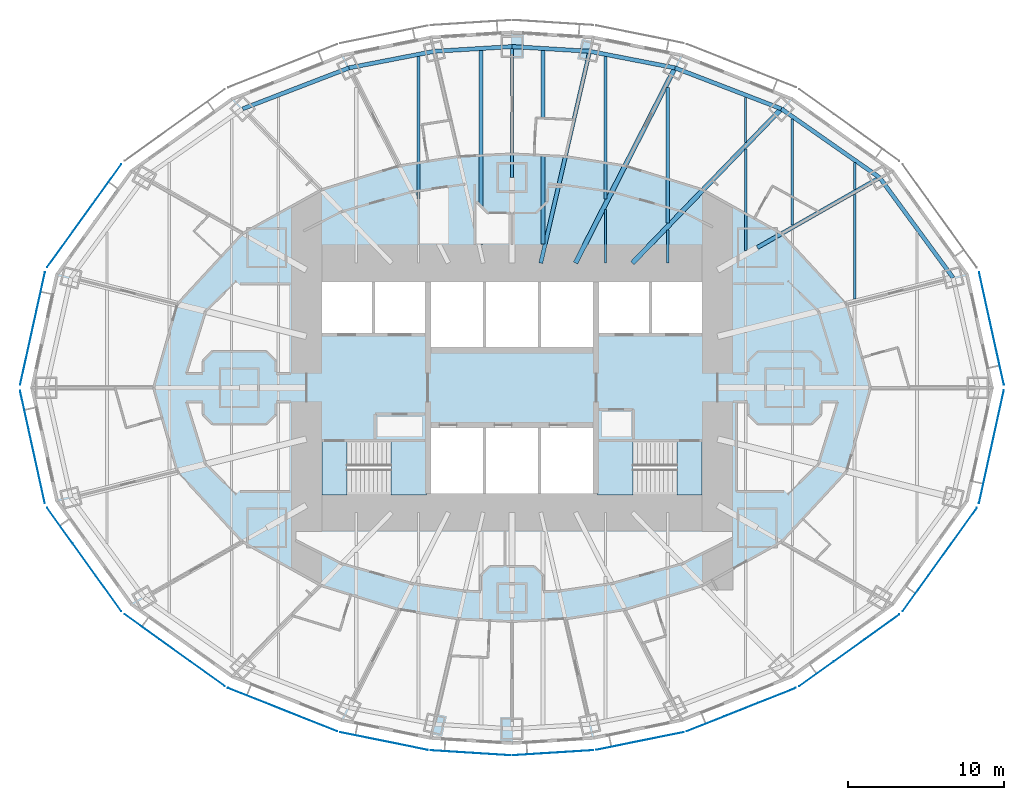
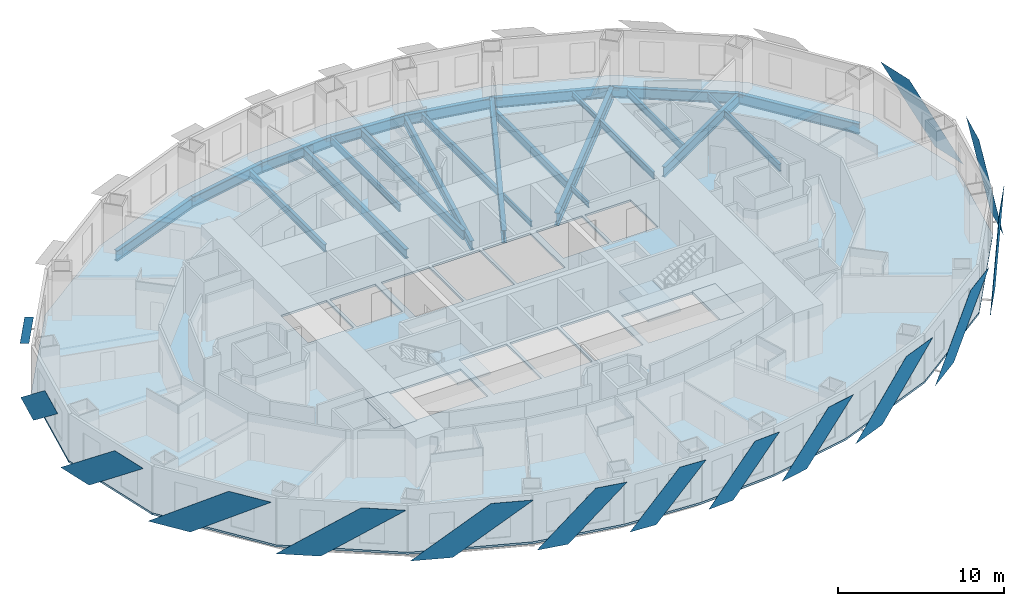
# One storey, part 3 of 15: 25 beams, 15 plates, 5 slabs, 2 elements without a shape of their own.
"""IFC4 building model written with IfcOpenShell, lengths in metres."""

from ifc_helpers import new_model, si_unit, direction, frame, origin, origin_2d, place, context, subcontext, project, spatial, polyline, i_section, outline, extrude, material, layer, layer_set, material_profile, profile_set, type_object, element, aggregate, save


model = new_model("IFC4")

# Units and contexts
model_context = context("Model", 3, precision=1e-05, world=origin(), true_north=direction((0.0, 1.0)))
body_context = subcontext(model_context, "Body", "Model", "MODEL_VIEW")
ifc_project = project(units=[si_unit("LENGTHUNIT", "METRE"), si_unit("AREAUNIT", "SQUARE_METRE"), si_unit("VOLUMEUNIT", "CUBIC_METRE"), si_unit("PLANEANGLEUNIT", "RADIAN"), si_unit("MASSUNIT", "GRAM", prefix="KILO")], contexts=[model_context])

# Site, building, storey
site_placement = place(None, origin())
site = spatial("IfcSite", under=ifc_project, at=site_placement, CompositionType="ELEMENT")
building_placement = place(site_placement, origin())
building = spatial("IfcBuilding", under=site, at=building_placement, Name="Lantaw Convention Tower", CompositionType="ELEMENT")
storey_placement = place(building_placement, frame((0.0, 0.0, 98.199951171875)))
storey = spatial("IfcBuildingStorey", under=building, at=storey_placement, Name="L23", CompositionType="ELEMENT", Elevation=98.199951171875)

# Beams
ifc_material_1 = material(Name="Steel ASTM A992", Category="steel")
ifc_material_profile_1 = material_profile(ifc_material_1, i_section(OverallWidth=0.2666015625, OverallDepth=0.76953125, WebThickness=0.015625, FlangeThickness=0.025390625, FilletRadius=0.0126953125, at=origin_2d()), Name="W30X132")
ifc_profile_set_1 = profile_set([ifc_material_profile_1], Name="Steel ASTM A992")
beam_type_1 = type_object("IfcBeamType", Name="Beam E W30X132", PredefinedType="SPANDREL", material=ifc_profile_set_1)
beam_1_placement = place(storey_placement, frame((28.31787109375, 7.060302734375, -0.53466796875), z_axis=(-0.591270709086, 0.806473154281, 0.0), x_axis=(-0.806473154281, -0.591270709086, 0.0)))
element("IfcBeam", 1, at=beam_1_placement, inside=storey, type_object=beam_type_1, Name="Edge beam 2", PredefinedType="SPANDREL", context=body_context, shape_type="SweptSolid", body=[
    extrude(i_section(OverallWidth=0.2666015625, OverallDepth=0.76953125, WebThickness=0.015625, FlangeThickness=0.025390625, FilletRadius=0.0126953125, at=origin_2d()), origin(), (0.0, 0.0, 1.0), 7.970703125),
])
beam_2_placement = place(storey_placement, frame((23.60498046875, 13.488525390625, -0.53466796875), z_axis=(-0.81942686407, 0.57318375277, 0.0), x_axis=(-0.57318375277, -0.81942686407, 0.0)))
element("IfcBeam", 2, at=beam_2_placement, inside=storey, type_object=beam_type_1, Name="Edge beam 3", PredefinedType="SPANDREL", context=body_context, shape_type="SweptSolid", body=[
    extrude(i_section(OverallWidth=0.2666015625, OverallDepth=0.76953125, WebThickness=0.015625, FlangeThickness=0.025390625, FilletRadius=0.0126953125, at=origin_2d()), origin(), (0.0, 0.0, 1.0), 7.70556640625),
])
beam_3_placement = place(storey_placement, frame((17.290771484375, 17.9052734375, -0.53466796875), z_axis=(-0.933232900641, 0.359271976588, 0.0), x_axis=(-0.359271976588, -0.933232900641, 0.0)))
element("IfcBeam", 3, at=beam_3_placement, inside=storey, type_object=beam_type_1, Name="Edge beam 4", PredefinedType="SPANDREL", context=body_context, shape_type="SweptSolid", body=[
    extrude(i_section(OverallWidth=0.2666015625, OverallDepth=0.76953125, WebThickness=0.015625, FlangeThickness=0.025390625, FilletRadius=0.0126953125, at=origin_2d()), origin(), (0.0, 0.0, 1.0), 7.316650390625),
])
beam_4_placement = place(storey_placement, frame((10.462646484375, 20.533935546875, -0.53466796875), z_axis=(-0.981636565323, 0.190760723474, 0.0), x_axis=(-0.190760723474, -0.981636565323, 0.0)))
element("IfcBeam", 4, at=beam_4_placement, inside=storey, type_object=beam_type_1, Name="Edge beam 5", PredefinedType="SPANDREL", context=body_context, shape_type="SweptSolid", body=[
    extrude(i_section(OverallWidth=0.2666015625, OverallDepth=0.76953125, WebThickness=0.015625, FlangeThickness=0.025390625, FilletRadius=0.0126953125, at=origin_2d()), origin(), (0.0, 0.0, 1.0), 5.578857421875),
])
for number, where, z_axis, x_axis, name in (
    (5, (4.986328125, 21.59814453125, -0.53466796875), (-0.998173858406, 0.060406526096, 0.0), (-0.060406526096, -0.998173858406, 0.0), "Edge beam 6"),
    (6, (0.0, 21.89990234375, -0.53466796875), (-0.998173858406, -0.060406526096, 0.0), (0.060406526096, -0.998173858406, 0.0), "Edge beam 7"),
):
    element("IfcBeam", number, at=place(storey_placement, frame(where, z_axis=z_axis, x_axis=x_axis)), inside=storey, type_object=beam_type_1, Name=name, PredefinedType="SPANDREL", context=body_context, shape_type="SweptSolid", body=[
        extrude(i_section(OverallWidth=0.2666015625, OverallDepth=0.76953125, WebThickness=0.015625, FlangeThickness=0.025390625, FilletRadius=0.0126953125, at=origin_2d()), origin(), (0.0, 0.0, 1.0), 4.995361328125),
    ])
beam_5_placement = place(storey_placement, frame((-4.986328125, 21.59814453125, -0.53466796875), z_axis=(-0.981636565323, -0.190760723474, 0.0), x_axis=(0.190760723474, -0.981636565323, 0.0)))
element("IfcBeam", 7, at=beam_5_placement, inside=storey, type_object=beam_type_1, Name="Edge beam 8", PredefinedType="SPANDREL", context=body_context, shape_type="SweptSolid", body=[
    extrude(i_section(OverallWidth=0.2666015625, OverallDepth=0.76953125, WebThickness=0.015625, FlangeThickness=0.025390625, FilletRadius=0.0126953125, at=origin_2d()), origin(), (0.0, 0.0, 1.0), 5.578857421875),
])
beam_6_placement = place(storey_placement, frame((-10.462646484375, 20.533935546875, -0.53466796875), z_axis=(-0.933232900641, -0.359271976588, 0.0), x_axis=(0.359271976588, -0.933232900641, 0.0)))
element("IfcBeam", 8, at=beam_6_placement, inside=storey, type_object=beam_type_1, Name="Edge beam 9", PredefinedType="SPANDREL", context=body_context, shape_type="SweptSolid", body=[
    extrude(i_section(OverallWidth=0.2666015625, OverallDepth=0.76953125, WebThickness=0.015625, FlangeThickness=0.025390625, FilletRadius=0.0126953125, at=origin_2d()), origin(), (0.0, 0.0, 1.0), 7.316650390625),
])
ifc_material_profile_2 = material_profile(ifc_material_1, i_section(OverallWidth=0.1650390625, OverallDepth=0.52587890625, WebThickness=0.0087890625, FlangeThickness=0.011474609375, FilletRadius=0.0126953125, at=origin_2d()), Name="W21X44")
ifc_profile_set_2 = profile_set([ifc_material_profile_2], Name="Steel ASTM A992")
beam_type_2 = type_object("IfcBeamType", Name="Beam G W21X44", PredefinedType="BEAM", material=ifc_profile_set_2)
beam_7_placement = place(storey_placement, frame((0.0, 13.5, -0.412841796875), z_axis=(0.0, 1.0, 0.0), x_axis=(-1.0, 0.0, 0.0)))
element("IfcBeam", 9, at=beam_7_placement, inside=storey, type_object=beam_type_2, Name="Floor girder on ray 7", PredefinedType="BEAM", context=body_context, shape_type="SweptSolid", body=[
    extrude(i_section(OverallWidth=0.1650390625, OverallDepth=0.52587890625, WebThickness=0.0087890625, FlangeThickness=0.011474609375, FilletRadius=0.0126953125, at=origin_2d()), origin(), (0.0, 0.0, 1.0), 8.39990234375),
])
ifc_material_profile_3 = material_profile(ifc_material_1, i_section(OverallWidth=0.25390625, OverallDepth=0.683349609375, WebThickness=0.012451171875, FlangeThickness=0.01904296875, FilletRadius=0.01513671875, at=origin_2d()), Name="W27X94")
ifc_profile_set_3 = profile_set([ifc_material_profile_3], Name="Steel ASTM A992")
beam_type_3 = type_object("IfcBeamType", Name="Beam G W27X94", PredefinedType="BEAM", material=ifc_profile_set_3)
beam_8_placement = place(storey_placement, frame((1.846923828125, 8.0, -0.49169921875), z_axis=(0.224952773175, 0.97436966796, 0.0), x_axis=(-0.97436966796, 0.224952773175, 0.0)))
element("IfcBeam", 10, at=beam_8_placement, inside=storey, type_object=beam_type_3, Name="Floor girder on ray 6", PredefinedType="BEAM", context=body_context, shape_type="SweptSolid", body=[
    extrude(i_section(OverallWidth=0.25390625, OverallDepth=0.683349609375, WebThickness=0.012451171875, FlangeThickness=0.01904296875, FilletRadius=0.01513671875, at=origin_2d()), origin(), (0.0, 0.0, 1.0), 13.955810546875),
])
ifc_material_profile_4 = material_profile(ifc_material_1, i_section(OverallWidth=0.2666015625, OverallDepth=0.7568359375, WebThickness=0.013916015625, FlangeThickness=0.019287109375, FilletRadius=0.0126953125, at=origin_2d()), Name="W30X108")
ifc_profile_set_4 = profile_set([ifc_material_profile_4], Name="Steel ASTM A992")
beam_type_4 = type_object("IfcBeamType", Name="Beam G W30X108", PredefinedType="BEAM", material=ifc_profile_set_4)
beam_9_placement = place(storey_placement, frame((15.75, 9.0, -0.5283203125), z_axis=(0.868244802791, 0.496136032179, 0.0), x_axis=(-0.496136032179, 0.868244802791, 0.0)))
element("IfcBeam", 11, at=beam_9_placement, inside=storey, type_object=beam_type_4, Name="Floor girder on ray 3", PredefinedType="BEAM", context=body_context, shape_type="SweptSolid", body=[
    extrude(i_section(OverallWidth=0.2666015625, OverallDepth=0.7568359375, WebThickness=0.013916015625, FlangeThickness=0.019287109375, FilletRadius=0.0126953125, at=origin_2d()), origin(), (0.0, 0.0, 1.0), 9.046875),
])
ifc_material_profile_5 = material_profile(ifc_material_1, i_section(OverallWidth=0.307373046875, OverallDepth=0.922119140625, WebThickness=0.018310546875, FlangeThickness=0.030029296875, FilletRadius=0.0126953125, at=origin_2d()), Name="W36X182")
ifc_profile_set_5 = profile_set([ifc_material_profile_5], Name="Steel ASTM A992")
beam_type_5 = type_object("IfcBeamType", Name="Beam G W36X182", PredefinedType="BEAM", material=ifc_profile_set_5)
beam_10_placement = place(storey_placement, frame((7.7255859375, 8.0, -0.61083984375), z_axis=(0.694649884291, 0.719347995239, 0.0), x_axis=(-0.719347995239, 0.694649884291, 0.0)))
element("IfcBeam", 12, at=beam_10_placement, inside=storey, type_object=beam_type_5, Name="Floor girder on ray 4", PredefinedType="BEAM", context=body_context, shape_type="SweptSolid", body=[
    extrude(i_section(OverallWidth=0.307373046875, OverallDepth=0.922119140625, WebThickness=0.018310546875, FlangeThickness=0.030029296875, FilletRadius=0.0126953125, at=origin_2d()), origin(), (0.0, 0.0, 1.0), 13.769775390625),
])
beam_11_placement = place(storey_placement, frame((4.076171875, 8.0, -0.61083984375), z_axis=(0.453997016122, 0.891003203896, 0.0), x_axis=(-0.891003203896, 0.453997016122, 0.0)))
element("IfcBeam", 13, at=beam_11_placement, inside=storey, type_object=beam_type_5, Name="Floor girder on ray 5", PredefinedType="BEAM", context=body_context, shape_type="SweptSolid", body=[
    extrude(i_section(OverallWidth=0.307373046875, OverallDepth=0.922119140625, WebThickness=0.018310546875, FlangeThickness=0.030029296875, FilletRadius=0.0126953125, at=origin_2d()), origin(), (0.0, 0.0, 1.0), 14.067138671875),
])
ifc_material_profile_6 = material_profile(ifc_material_1, i_section(OverallWidth=0.140380859375, OverallDepth=0.40380859375, WebThickness=0.007080078125, FlangeThickness=0.01123046875, FilletRadius=0.01025390625, at=origin_2d()), Name="W16X31")
ifc_profile_set_6 = profile_set([ifc_material_profile_6], Name="Steel ASTM A992")
beam_type_6 = type_object("IfcBeamType", Name="Beam J W16X31", PredefinedType="JOIST", material=ifc_profile_set_6)
beam_12_placement = place(storey_placement, frame((6.0, 8.0, -0.351806640625), z_axis=(0.0, 1.0, 0.0), x_axis=(-1.0, 0.0, 0.0)))
element("IfcBeam", 14, at=beam_12_placement, inside=storey, type_object=beam_type_6, Name="Floor joist", PredefinedType="JOIST", context=body_context, shape_type="SweptSolid", body=[
    extrude(i_section(OverallWidth=0.140380859375, OverallDepth=0.40380859375, WebThickness=0.007080078125, FlangeThickness=0.01123046875, FilletRadius=0.01025390625, at=origin_2d()), origin(), (0.0, 0.0, 1.0), 3.437255859375),
])
beam_13_placement = place(storey_placement, frame((10.0, 8.0, -0.351806640625), z_axis=(0.0, 1.0, 0.0), x_axis=(-1.0, 0.0, 0.0)))
element("IfcBeam", 15, at=beam_13_placement, inside=storey, type_object=beam_type_6, Name="Floor joist", PredefinedType="JOIST", context=body_context, shape_type="SweptSolid", body=[
    extrude(i_section(OverallWidth=0.140380859375, OverallDepth=0.40380859375, WebThickness=0.007080078125, FlangeThickness=0.01123046875, FilletRadius=0.01025390625, at=origin_2d()), origin(), (0.0, 0.0, 1.0), 2.134033203125),
])
beam_14_placement = place(storey_placement, frame((15.0, 15.754150390625, -0.351806640625), z_axis=(0.0, 1.0, 0.0), x_axis=(-1.0, 0.0, 0.0)))
element("IfcBeam", 16, at=beam_14_placement, inside=storey, type_object=beam_type_6, Name="Floor joist", PredefinedType="JOIST", context=body_context, shape_type="SweptSolid", body=[
    extrude(i_section(OverallWidth=0.140380859375, OverallDepth=0.40380859375, WebThickness=0.007080078125, FlangeThickness=0.01123046875, FilletRadius=0.01025390625, at=origin_2d()), origin(), (0.0, 0.0, 1.0), 2.89013671875),
])
beam_15_placement = place(storey_placement, frame((22.0, 12.72509765625, -0.351806640625), z_axis=(0.0, 1.0, 0.0), x_axis=(-1.0, 0.0, 0.0)))
element("IfcBeam", 17, at=beam_15_placement, inside=storey, type_object=beam_type_6, Name="Floor joist", PredefinedType="JOIST", context=body_context, shape_type="SweptSolid", body=[
    extrude(i_section(OverallWidth=0.140380859375, OverallDepth=0.40380859375, WebThickness=0.007080078125, FlangeThickness=0.01123046875, FilletRadius=0.01025390625, at=origin_2d()), origin(), (0.0, 0.0, 1.0), 1.723388671875),
])
ifc_material_profile_7 = material_profile(ifc_material_1, i_section(OverallWidth=0.1650390625, OverallDepth=0.52587890625, WebThickness=0.0087890625, FlangeThickness=0.011474609375, FilletRadius=0.0126953125, at=origin_2d()), Name="W21X44")
ifc_profile_set_7 = profile_set([ifc_material_profile_7], Name="Steel ASTM A992")
beam_type_7 = type_object("IfcBeamType", Name="Beam J W21X44", PredefinedType="JOIST", material=ifc_profile_set_7)
beam_16_placement = place(storey_placement, frame((15.0, 8.803955078125, -0.412841796875), z_axis=(0.0, 1.0, 0.0), x_axis=(-1.0, 0.0, 0.0)))
element("IfcBeam", 18, at=beam_16_placement, inside=storey, type_object=beam_type_7, Name="Floor joist", PredefinedType="JOIST", context=body_context, shape_type="SweptSolid", body=[
    extrude(i_section(OverallWidth=0.1650390625, OverallDepth=0.52587890625, WebThickness=0.0087890625, FlangeThickness=0.011474609375, FilletRadius=0.0126953125, at=origin_2d()), origin(), (0.0, 0.0, 1.0), 6.5078125),
])
beam_17_placement = place(storey_placement, frame((18.0, 10.439208984375, -0.412841796875), z_axis=(0.0, 1.0, 0.0), x_axis=(-1.0, 0.0, 0.0)))
element("IfcBeam", 19, at=beam_17_placement, inside=storey, type_object=beam_type_7, Name="Floor joist", PredefinedType="JOIST", context=body_context, shape_type="SweptSolid", body=[
    extrude(i_section(OverallWidth=0.1650390625, OverallDepth=0.52587890625, WebThickness=0.0087890625, FlangeThickness=0.011474609375, FilletRadius=0.0126953125, at=origin_2d()), origin(), (0.0, 0.0, 1.0), 6.80712890625),
])
beam_18_placement = place(storey_placement, frame((22.0, 5.693359375, -0.412841796875), z_axis=(0.0, 1.0, 0.0), x_axis=(-1.0, 0.0, 0.0)))
element("IfcBeam", 20, at=beam_18_placement, inside=storey, type_object=beam_type_7, Name="Floor joist", PredefinedType="JOIST", context=body_context, shape_type="SweptSolid", body=[
    extrude(i_section(OverallWidth=0.1650390625, OverallDepth=0.52587890625, WebThickness=0.0087890625, FlangeThickness=0.011474609375, FilletRadius=0.0126953125, at=origin_2d()), origin(), (0.0, 0.0, 1.0), 6.724609375),
])
ifc_material_profile_8 = material_profile(ifc_material_1, i_section(OverallWidth=0.2099609375, OverallDepth=0.535888671875, WebThickness=0.010986328125, FlangeThickness=0.017333984375, FilletRadius=0.012939453125, at=origin_2d()), Name="W21X68")
ifc_profile_set_8 = profile_set([ifc_material_profile_8], Name="Steel ASTM A992")
beam_type_8 = type_object("IfcBeamType", Name="Beam J W21X68", PredefinedType="JOIST", material=ifc_profile_set_8)
for number, where, z_axis, x_axis, name in (
    (21, (-6.0, 12.1142578125, -0.41796875), (0.0, 1.0, 0.0), (-1.0, 0.0, 0.0), "Floor joist"),
    (22, (6.0, 12.1142578125, -0.41796875), (0.0, 1.0, 0.0), (-1.0, 0.0, 0.0), "Floor joist"),
):
    element("IfcBeam", number, at=place(storey_placement, frame(where, z_axis=z_axis, x_axis=x_axis)), inside=storey, type_object=beam_type_8, Name=name, PredefinedType="JOIST", context=body_context, shape_type="SweptSolid", body=[
        extrude(i_section(OverallWidth=0.2099609375, OverallDepth=0.535888671875, WebThickness=0.010986328125, FlangeThickness=0.017333984375, FilletRadius=0.012939453125, at=origin_2d()), origin(), (0.0, 0.0, 1.0), 9.15087890625),
    ])
ifc_material_profile_9 = material_profile(ifc_material_1, i_section(OverallWidth=0.227783203125, OverallDepth=0.60205078125, WebThickness=0.010498046875, FlangeThickness=0.014892578125, FilletRadius=0.012939453125, at=origin_2d()), Name="W24X68")
ifc_profile_set_9 = profile_set([ifc_material_profile_9], Name="Steel ASTM A992")
beam_type_9 = type_object("IfcBeamType", Name="Beam J W24X68", PredefinedType="JOIST", material=ifc_profile_set_9)
beam_19_placement = place(storey_placement, frame((10.0, 10.576416015625, -0.450927734375), z_axis=(0.0, 1.0, 0.0), x_axis=(-1.0, 0.0, 0.0)))
element("IfcBeam", 23, at=beam_19_placement, inside=storey, type_object=beam_type_9, Name="Floor joist", PredefinedType="JOIST", context=body_context, shape_type="SweptSolid", body=[
    extrude(i_section(OverallWidth=0.227783203125, OverallDepth=0.60205078125, WebThickness=0.010498046875, FlangeThickness=0.014892578125, FilletRadius=0.012939453125, at=origin_2d()), origin(), (0.0, 0.0, 1.0), 8.711181640625),
])
ifc_material_profile_10 = material_profile(ifc_material_1, i_section(OverallWidth=0.25390625, OverallDepth=0.700927734375, WebThickness=0.015380859375, FlangeThickness=0.02783203125, FilletRadius=0.01513671875, at=origin_2d()), Name="W27X129")
ifc_profile_set_10 = profile_set([ifc_material_profile_10], Name="Steel ASTM A992")
beam_type_10 = type_object("IfcBeamType", Name="Beam J W27X129", PredefinedType="JOIST", material=ifc_profile_set_10)
for number, where, z_axis, x_axis, name in (
    (24, (-2.0, 9.2275390625, -0.50048828125), (0.0, 1.0, 0.0), (-1.0, 0.0, 0.0), "Floor joist"),
    (25, (2.0, 9.2275390625, -0.50048828125), (0.0, 1.0, 0.0), (-1.0, 0.0, 0.0), "Floor joist"),
):
    element("IfcBeam", number, at=place(storey_placement, frame(where, z_axis=z_axis, x_axis=x_axis)), inside=storey, type_object=beam_type_10, Name=name, PredefinedType="JOIST", context=body_context, shape_type="SweptSolid", body=[
        extrude(i_section(OverallWidth=0.25390625, OverallDepth=0.700927734375, WebThickness=0.015380859375, FlangeThickness=0.02783203125, FilletRadius=0.01513671875, at=origin_2d()), origin(), (0.0, 0.0, 1.0), 12.417724609375),
    ])

# Slab
ifc_material_2 = material(Name="Concrete C35/45", Category="concrete")
ifc_layer_1 = layer(ifc_material_2, 0.14990234375)
ifc_layer_set_1 = layer_set([ifc_layer_1], Name="Floor slab 150")
slab_type_1 = type_object("IfcSlabType", Name="Floor slab 150", PredefinedType="FLOOR", material=ifc_layer_set_1)
slab_1_placement = place(storey_placement, frame((0.0, 0.0, -0.14990234375)))
element("IfcSlab", 26, at=slab_1_placement, inside=storey, type_object=slab_type_1, Name="L23 floor slab", PredefinedType="FLOOR", context=body_context, shape_type="SweptSolid", body=[
    extrude(outline(polyline([(29.315185546875, -7.29541015625), (30.923095703125, 0.0), (29.315185546875, 7.29541015625), (24.50634765625, 13.98046875), (18.018798828125, 18.630126953125), (10.9404296875, 21.44189453125), (5.223876953125, 22.59521484375), (0.0, 22.9248046875), (-5.223876953125, 22.59521484375), (-10.9404296875, 21.44189453125), (-18.018798828125, 18.630126953125), (-24.50634765625, 13.98046875), (-29.315185546875, 7.29541015625), (-30.923095703125, 0.0), (-29.315185546875, -7.29541015625), (-24.50634765625, -13.98046875), (-18.018798828125, -18.630126953125), (-10.9404296875, -21.44189453125), (-5.223876953125, -22.59521484375), (0.0, -22.9248046875), (5.223876953125, -22.59521484375), (10.9404296875, -21.44189453125), (18.018798828125, -18.630126953125), (24.50634765625, -13.98046875), (29.315185546875, -7.29541015625)]), holes=[polyline([(-5.60009765625, -3.5), (-12.199951171875, -3.5), (-12.199951171875, -6.800048828125), (-5.60009765625, -6.800048828125), (-5.60009765625, -3.5)]), polyline([(-1.86669921875, -6.800048828125), (-1.86669921875, -2.60009765625), (-5.199951171875, -2.60009765625), (-5.199951171875, -6.800048828125), (-1.86669921875, -6.800048828125)]), polyline([(-1.86669921875, 2.60009765625), (-1.86669921875, 6.800048828125), (-5.199951171875, 6.800048828125), (-5.199951171875, 2.60009765625), (-1.86669921875, 2.60009765625)]), polyline([(1.666748046875, 6.800048828125), (-1.666748046875, 6.800048828125), (-1.666748046875, 2.60009765625), (1.666748046875, 2.60009765625), (1.666748046875, 6.800048828125)]), polyline([(-9.0, 3.5), (-9.0, 6.800048828125), (-12.199951171875, 6.800048828125), (-12.199951171875, 3.5), (-9.0, 3.5)]), polyline([(-5.60009765625, 3.5), (-5.60009765625, 6.800048828125), (-8.800048828125, 6.800048828125), (-8.800048828125, 3.5), (-5.60009765625, 3.5)]), polyline([(12.199951171875, -3.5), (5.60009765625, -3.5), (5.60009765625, -6.800048828125), (12.199951171875, -6.800048828125), (12.199951171875, -3.5)]), polyline([(1.666748046875, -6.800048828125), (1.666748046875, -2.60009765625), (-1.666748046875, -2.60009765625), (-1.666748046875, -6.800048828125), (1.666748046875, -6.800048828125)]), polyline([(5.199951171875, -6.800048828125), (5.199951171875, -2.60009765625), (1.86669921875, -2.60009765625), (1.86669921875, -6.800048828125), (5.199951171875, -6.800048828125)]), polyline([(5.199951171875, 6.800048828125), (1.86669921875, 6.800048828125), (1.86669921875, 2.60009765625), (5.199951171875, 2.60009765625), (5.199951171875, 6.800048828125)]), polyline([(8.800048828125, 3.5), (8.800048828125, 6.800048828125), (5.60009765625, 6.800048828125), (5.60009765625, 3.5), (8.800048828125, 3.5)]), polyline([(12.199951171875, 3.5), (12.199951171875, 6.800048828125), (9.0, 6.800048828125), (9.0, 3.5), (12.199951171875, 3.5)])]), origin(), (0.0, 0.0, 1.0), 0.14990234375),
])

# Plates
ifc_material_3 = material(Name="Perforated aluminium sheet, pale silver finish", Category="aluminium")
ifc_layer_2 = layer(ifc_material_3, 0.006103515625)
ifc_layer_set_2 = layer_set([ifc_layer_2], Name="Perforated aluminium solar SCREEN panel")
plate_type = type_object("IfcPlateType", Name="Perforated aluminium solar SCREEN panel", PredefinedType="SHEET", material=ifc_layer_set_2)
plate_1_placement = place(storey_placement, frame((31.5810546875, 0.17919921875, -0.175048828125), z_axis=(-0.97655943558, -0.215247921852, 3.0295023e-05), x_axis=(-0.215247921951, 0.976559436028, 3.12e-10)))
element("IfcPlate", 27, at=plate_1_placement, inside=storey, type_object=plate_type, Name="Solar SCREEN panel", PredefinedType="SHEET", context=body_context, shape_type="SweptSolid", body=[
    extrude(outline(polyline([(0.0, 0.0), (2.551002212329069, 3.3881317890172014e-21), (7.402498252985418, -3.739990233781388), (4.851734458487411, -3.7399902353733405), (0.0, 0.0)])), origin(), (0.0, 0.0, -1.0), 0.006103515625),
])
plate_2_placement = place(storey_placement, frame((-25.0810546875, 14.34765625, -0.175048828125), z_axis=(0.811791382613, -0.583947558463, 9.019268e-06), x_axis=(-0.583947558486, -0.811791382646, 0.0)))
element("IfcPlate", 28, at=plate_2_placement, inside=storey, type_object=plate_type, Name="Solar SCREEN panel", PredefinedType="SHEET", context=body_context, shape_type="SweptSolid", body=[
    extrude(outline(polyline([(0.0, 0.0), (2.809541672291133, 0.0), (8.163093158837512, -3.739990234527119), (5.353551486546379, -3.739990234527119), (0.0, 0.0)])), origin(), (0.0, 0.0, -1.0), 0.006103515625),
])
plate_3_placement = place(storey_placement, frame((-29.98779296875, 7.408203125, -0.175048828125), z_axis=(-0.97655943558, 0.215247921852, 3.0295023e-05), x_axis=(-0.215247921951, -0.976559436028, -3.12e-10)))
element("IfcPlate", 29, at=plate_3_placement, inside=storey, type_object=plate_type, Name="Solar SCREEN panel", PredefinedType="SHEET", context=body_context, shape_type="SweptSolid", body=[
    extrude(outline(polyline([(0.0, 0.0), (2.5507637944980077, 6.776263578034403e-21), (7.402498250651261, 3.7399902384013473), (4.851496038322192, 3.739990236809246), (0.0, 0.0)])), origin(), (0.0, 0.0, -1.0), 0.006103515625),
])
plate_4_placement = place(storey_placement, frame((-31.5810546875, -0.17919921875, -0.175048828125), z_axis=(0.97655943558, 0.215247921852, 3.0295023e-05), x_axis=(0.215247921951, -0.976559436028, 3.12e-10)))
element("IfcPlate", 30, at=plate_4_placement, inside=storey, type_object=plate_type, Name="Solar SCREEN panel", PredefinedType="SHEET", context=body_context, shape_type="SweptSolid", body=[
    extrude(outline(polyline([(0.0, 0.0), (2.551002212329069, 3.3881317890172014e-21), (7.402498252985418, -3.739990233781388), (4.851734458487411, -3.7399902353733405), (0.0, 0.0)])), origin(), (0.0, 0.0, -1.0), 0.006103515625),
])
plate_5_placement = place(storey_placement, frame((-29.847900390625, -7.720947265625, -0.175048828125), z_axis=(-0.811791382613, -0.583947558463, 9.019268e-06), x_axis=(0.583947558486, -0.811791382646, 0.0)))
element("IfcPlate", 31, at=plate_5_placement, inside=storey, type_object=plate_type, Name="Solar SCREEN panel", PredefinedType="SHEET", context=body_context, shape_type="SweptSolid", body=[
    extrude(outline(polyline([(0.0, 0.0), (2.809541672291133, 0.0), (8.163093158837512, 3.739990234527119), (5.353551486546379, 3.739990234527119), (0.0, 0.0)])), origin(), (0.0, 0.0, -1.0), 0.006103515625),
])
plate_6_placement = place(storey_placement, frame((-24.872314453125, -14.555908203125, -0.175048828125), z_axis=(-0.582561421998, -0.812786681331, 1.5819417e-05), x_axis=(0.812786681433, -0.582561422071, 0.0)))
element("IfcPlate", 32, at=plate_6_placement, inside=storey, type_object=plate_type, Name="Solar SCREEN panel", PredefinedType="SHEET", context=body_context, shape_type="SweptSolid", body=[
    extrude(outline(polyline([(0.0, 0.0), (2.721095180812288, 3.3881317890172014e-21), (7.903118572410756, 3.739990234842974), (5.182023391598468, 3.739990234842974), (0.0, 0.0)])), origin(), (0.0, 0.0, -1.0), 0.006103515625),
])
plate_7_placement = place(storey_placement, frame((-18.232177734375, -19.278076171875, -0.175048828125), z_axis=(0.369183532846, 0.929356508016, 9.163296e-06), x_axis=(0.929356508055, -0.369183532862, 0.0)))
element("IfcPlate", 33, at=plate_7_placement, inside=storey, type_object=plate_type, Name="Solar SCREEN panel", PredefinedType="SHEET", context=body_context, shape_type="SweptSolid", body=[
    extrude(outline(polyline([(0.0, 0.0), (2.594936467166582, -1.6940658945086007e-21), (7.5321069917580825, -3.739990234532016), (4.937170524591499, -3.739990234532016), (0.0, 0.0)])), origin(), (0.0, 0.0, -1.0), 0.006103515625),
])
plate_8_placement = place(storey_placement, frame((-11.03271484375, -22.117919921875, -0.175048828125), z_axis=(0.197781876197, 0.980246055561, 2.418535e-06), x_axis=(0.980246055563, -0.197781876198, 1.46e-10)))
element("IfcPlate", 34, at=plate_8_placement, inside=storey, type_object=plate_type, Name="Solar SCREEN panel", PredefinedType="SHEET", context=body_context, shape_type="SweptSolid", body=[
    extrude(outline(polyline([(0.0, 0.0), (1.9867801772236329, -3.1763735522036263e-22), (5.743587245978565, -3.7399902335493134), (3.7568553553458006, -3.739990234128105), (0.0, 0.0)])), origin(), (0.0, 0.0, -1.0), 0.006103515625),
])
plate_9_placement = place(storey_placement, frame((-5.221923828125, -23.27783203125, -0.175048828125), z_axis=(0.062923905251, 0.998018327468, 1.3605496e-05), x_axis=(0.998018327561, -0.062923905257, 9.3e-10)))
element("IfcPlate", 35, at=plate_9_placement, inside=storey, type_object=plate_type, Name="Solar SCREEN panel", PredefinedType="SHEET", context=body_context, shape_type="SweptSolid", body=[
    extrude(outline(polyline([(0.0, 0.0), (1.7828375409377817, -2.117582368135751e-22), (5.143985963027618, -3.739990229938699), (3.3611637843713935, -3.7399902332537565), (0.0, 0.0)])), origin(), (0.0, 0.0, -1.0), 0.006103515625),
])
plate_10_placement = place(storey_placement, frame((0.088134765625, -23.6015625, -0.175048828125), z_axis=(0.062923905251, -0.998018327468, 1.3605496e-05), x_axis=(0.998018327561, 0.062923905257, -9.3e-10)))
element("IfcPlate", 36, at=plate_10_placement, inside=storey, type_object=plate_type, Name="Solar SCREEN panel", PredefinedType="SHEET", context=body_context, shape_type="SweptSolid", body=[
    extrude(outline(polyline([(0.0, 0.0), (1.782822178656225, -2.117582368135751e-22), (5.143985956073316, 3.7399902395036517), (3.3611484151355353, 3.7399902361885653), (0.0, 0.0)])), origin(), (0.0, 0.0, -1.0), 0.006103515625),
])
plate_11_placement = place(storey_placement, frame((5.402587890625, -23.25390625, -0.175048828125), z_axis=(0.197781876197, -0.980246055561, 2.418535e-06), x_axis=(0.980246055563, 0.197781876198, -1.46e-10)))
element("IfcPlate", 37, at=plate_11_placement, inside=storey, type_object=plate_type, Name="Solar SCREEN panel", PredefinedType="SHEET", context=body_context, shape_type="SweptSolid", body=[
    extrude(outline(polyline([(0.0, 0.0), (1.9867318906327642, 1.0587911840678754e-22), (5.743587244888999, 3.7399902352225842), (3.7568070676653664, 3.7399902346437783), (0.0, 0.0)])), origin(), (0.0, 0.0, -1.0), 0.006103515625),
])
plate_12_placement = place(storey_placement, frame((11.232177734375, -22.058837890625, -0.175048828125), z_axis=(0.369183532846, -0.929356508016, 9.163296e-06), x_axis=(0.929356508055, 0.369183532862, 0.0)))
element("IfcPlate", 38, at=plate_12_placement, inside=storey, type_object=plate_type, Name="Solar SCREEN panel", PredefinedType="SHEET", context=body_context, shape_type="SweptSolid", body=[
    extrude(outline(polyline([(0.0, 0.0), (2.594936467166582, 1.6940658945086007e-21), (7.5321069917580825, 3.739990234532016), (4.937170524591499, 3.739990234532016), (0.0, 0.0)])), origin(), (0.0, 0.0, -1.0), 0.006103515625),
])
plate_13_placement = place(storey_placement, frame((18.44873046875, -19.159912109375, -0.175048828125), z_axis=(-0.582561421998, 0.812786681331, 1.5819417e-05), x_axis=(0.812786681433, 0.582561422071, 0.0)))
element("IfcPlate", 39, at=plate_13_placement, inside=storey, type_object=plate_type, Name="Solar SCREEN panel", PredefinedType="SHEET", context=body_context, shape_type="SweptSolid", body=[
    extrude(outline(polyline([(0.0, 0.0), (2.721095180812288, -3.3881317890172014e-21), (7.903118572410756, -3.739990234842974), (5.182023391598468, -3.739990234842974), (0.0, 0.0)])), origin(), (0.0, 0.0, -1.0), 0.006103515625),
])
plate_14_placement = place(storey_placement, frame((25.0810546875, -14.34765625, -0.175048828125), z_axis=(-0.811791382613, 0.583947558463, 9.019268e-06), x_axis=(0.583947558486, 0.811791382646, 0.0)))
element("IfcPlate", 40, at=plate_14_placement, inside=storey, type_object=plate_type, Name="Solar SCREEN panel", PredefinedType="SHEET", context=body_context, shape_type="SweptSolid", body=[
    extrude(outline(polyline([(0.0, 0.0), (2.809541672291133, 0.0), (8.163093158837512, -3.739990234527119), (5.353551486546379, -3.739990234527119), (0.0, 0.0)])), origin(), (0.0, 0.0, -1.0), 0.006103515625),
])
plate_15_placement = place(storey_placement, frame((29.98779296875, -7.408203125, -0.175048828125), z_axis=(0.97655943558, -0.215247921852, 3.0295023e-05), x_axis=(0.215247921951, 0.976559436028, -3.12e-10)))
element("IfcPlate", 41, at=plate_15_placement, inside=storey, type_object=plate_type, Name="Solar SCREEN panel", PredefinedType="SHEET", context=body_context, shape_type="SweptSolid", body=[
    extrude(outline(polyline([(0.0, 0.0), (2.5507637944980077, 6.776263578034403e-21), (7.402498250651261, 3.7399902384013473), (4.851496038322192, 3.739990236809246), (0.0, 0.0)])), origin(), (0.0, 0.0, -1.0), 0.006103515625),
])

# Stair, slabs
stair_type = type_object("IfcStairType", Name="Exit stair 1500 riser 163.64 in 2 flights", PredefinedType="HALF_TURN_STAIR", material=ifc_material_2)
stair_1_placement = place(storey_placement, origin())
stair_1 = element("IfcStair", 42, at=stair_1_placement, inside=storey, type_object=stair_type, Name="Exit stair S1 L23", PredefinedType="HALF_TURN_STAIR")
ifc_layer_3 = layer(ifc_material_2, 0.199951171875)
ifc_layer_set_3 = layer_set([ifc_layer_3], Name="Stair landing 200")
slab_type_2 = type_object("IfcSlabType", Name="Stair landing 200", PredefinedType="LANDING", material=ifc_layer_set_3)
slab_2_placement = place(storey_placement, frame((0.0, 0.0, -0.199951171875)))
slab_2 = element("IfcSlab", 43, at=slab_2_placement, type_object=slab_type_2, Name="S1 landing 1", PredefinedType="LANDING", context=body_context, shape_type="SweptSolid", body=[
    extrude(outline(polyline([(-12.199951171875, -6.89990234375), (-10.580078125, -6.89990234375), (-10.580078125, -3.39990234375), (-12.199951171875, -3.39990234375), (-12.199951171875, -6.89990234375)])), origin(), (0.0, 0.0, 1.0), 0.199951171875),
])
slab_3_placement = place(storey_placement, frame((0.0, 0.0, 1.60009765625)))
slab_3 = element("IfcSlab", 44, at=slab_3_placement, type_object=slab_type_2, Name="S1 landing 2", PredefinedType="LANDING", context=body_context, shape_type="SweptSolid", body=[
    extrude(outline(polyline([(-7.780029296875, -6.89990234375), (-5.5, -6.89990234375), (-5.5, -3.39990234375), (-7.780029296875, -3.39990234375), (-7.780029296875, -6.89990234375)])), origin(), (0.0, 0.0, 1.0), 0.199951171875),
])
aggregate(stair_1, [slab_2, slab_3])

stair_2_placement = place(storey_placement, origin())
stair_2 = element("IfcStair", 45, at=stair_2_placement, inside=storey, type_object=stair_type, Name="Exit stair S2 L23", PredefinedType="HALF_TURN_STAIR")
slab_4_placement = place(storey_placement, frame((0.0, 0.0, -0.199951171875)))
slab_4 = element("IfcSlab", 46, at=slab_4_placement, type_object=slab_type_2, Name="S2 landing 1", PredefinedType="LANDING", context=body_context, shape_type="SweptSolid", body=[
    extrude(outline(polyline([(10.580078125, -6.89990234375), (12.199951171875, -6.89990234375), (12.199951171875, -3.39990234375), (10.580078125, -3.39990234375), (10.580078125, -6.89990234375)])), origin(), (0.0, 0.0, 1.0), 0.199951171875),
])
slab_5_placement = place(storey_placement, frame((0.0, 0.0, 1.60009765625)))
slab_5 = element("IfcSlab", 47, at=slab_5_placement, type_object=slab_type_2, Name="S2 landing 2", PredefinedType="LANDING", context=body_context, shape_type="SweptSolid", body=[
    extrude(outline(polyline([(5.5, -6.89990234375), (7.780029296875, -6.89990234375), (7.780029296875, -3.39990234375), (5.5, -3.39990234375), (5.5, -6.89990234375)])), origin(), (0.0, 0.0, 1.0), 0.199951171875),
])
aggregate(stair_2, [slab_4, slab_5])

save(model, "model.ifc")
